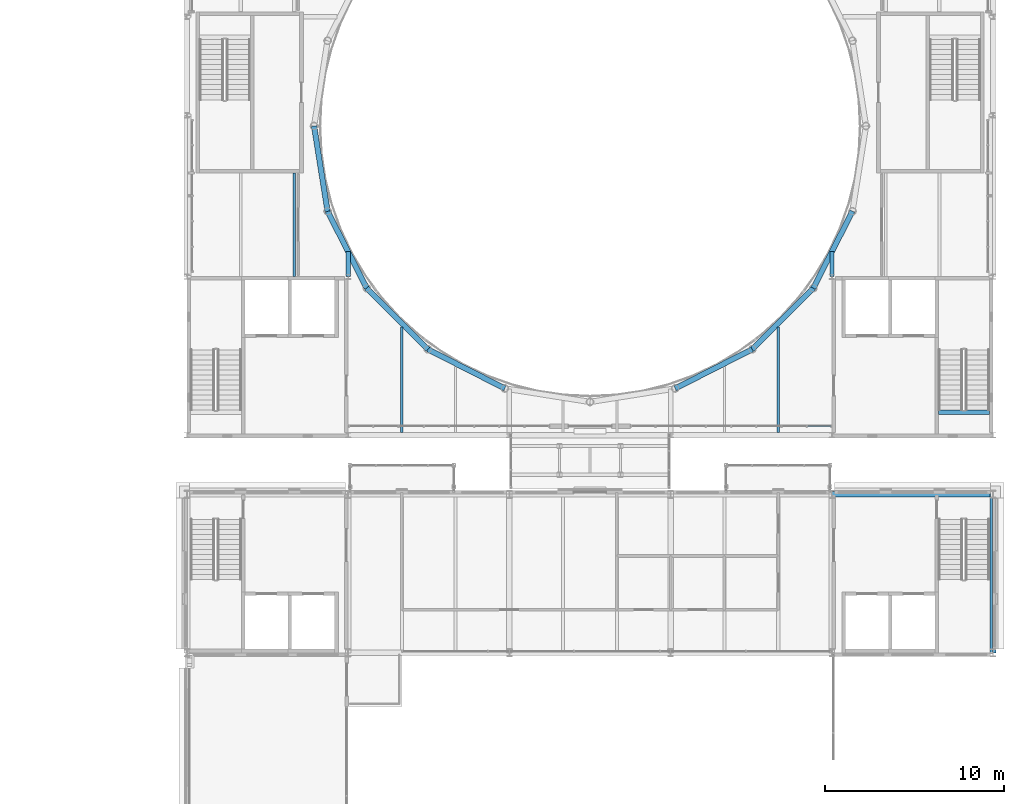
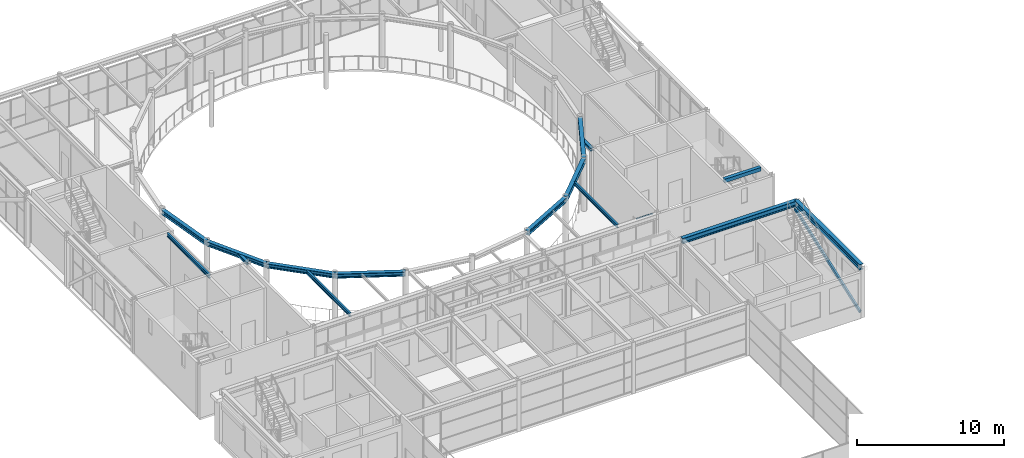
# One storey, part 33 of 70: 15 beams, 2 members, 1 element without a shape of its own.
"""IFC4 building model written with IfcOpenShell, lengths in metres."""

from ifc_helpers import new_model, si_unit, direction, frame, origin, origin_2d, place, context, subcontext, project, spatial, rectangle, hollow_rectangle, i_section, extrude, material, layer, layer_set, material_profile, profile_set, type_object, element, aggregate, save


model = new_model("IFC4")

# Units and contexts
model_context = context("Model", 3, precision=1e-05, world=origin(), true_north=direction((0.0, 1.0)))
body_context = subcontext(model_context, "Body", "Model", "MODEL_VIEW")
ifc_project = project(units=[si_unit("LENGTHUNIT", "METRE"), si_unit("AREAUNIT", "SQUARE_METRE"), si_unit("VOLUMEUNIT", "CUBIC_METRE"), si_unit("PLANEANGLEUNIT", "RADIAN"), si_unit("MASSUNIT", "GRAM", prefix="KILO")], contexts=[model_context])

# Site, building, storey
site_placement = place(None, origin())
site = spatial("IfcSite", under=ifc_project, at=site_placement, CompositionType="ELEMENT")
building_placement = place(site_placement, origin())
building = spatial("IfcBuilding", under=site, at=building_placement, Name="Kallimachos Central Library", CompositionType="ELEMENT")
storey_placement = place(building_placement, frame((0.0, 0.0, 18.89990234375)))
storey = spatial("IfcBuildingStorey", under=building, at=storey_placement, Name="L04", CompositionType="ELEMENT", Elevation=18.89990234375)

# Curtain wall, member
ifc_material_1 = material(Name="Anodised aluminium and laminated glass", Category="aluminium")
ifc_layer = layer(ifc_material_1, 0.159912109375)
ifc_layer_set = layer_set([ifc_layer], Name="Glass box curtain wall")
curtain_wall_type = type_object("IfcCurtainWallType", Name="Glass box curtain wall", PredefinedType="NOTDEFINED", material=ifc_layer_set)
curtain_wall_placement = place(storey_placement, origin())
curtain_wall = element("IfcCurtainWall", 1, at=curtain_wall_placement, inside=storey, type_object=curtain_wall_type, Name="Glass box curtain wall S L04", PredefinedType="NOTDEFINED")
ifc_material_2 = material(Name="Anodised aluminium", Category="aluminium")
ifc_material_profile_1 = material_profile(ifc_material_2, hollow_rectangle(XDim=0.06005859375, YDim=0.080078125, WallThickness=0.00390625, at=origin_2d()), Name="ALU TRANSOM 60x80")
ifc_profile_set_1 = profile_set([ifc_material_profile_1], Name="Anodised aluminium")
member_type_1 = type_object("IfcMemberType", Name="Glass box transom 60x80", PredefinedType="USERDEFINED", material=ifc_profile_set_1)
member_1_placement = place(storey_placement, frame((100.123779296875, 87.64990234375, 4.02001953125), z_axis=(1.0, 0.0, 0.0), x_axis=(0.0, 0.0, 1.0)))
member_1 = element("IfcMember", 2, at=member_1_placement, type_object=member_type_1, Name="CW29 transom 8.3", ObjectType="TRANSOM", PredefinedType="USERDEFINED", context=body_context, shape_type="SweptSolid", body=[
    extrude(hollow_rectangle(XDim=0.06005859375, YDim=0.080078125, WallThickness=0.00390625, at=origin_2d()), origin(), (0.0, 0.0, 1.0), 1.316162109375),
])
aggregate(curtain_wall, [member_1])

# Beams
ifc_material_3 = material(Name="Steel S355J2", Category="steel")
ifc_material_profile_2 = material_profile(ifc_material_3, i_section(OverallWidth=0.239990234375, OverallDepth=0.22998046875, WebThickness=0.007568359375, FlangeThickness=0.011962890625, FilletRadius=0.02099609375, at=origin_2d()), Name="HEA 240")
ifc_profile_set_2 = profile_set([ifc_material_profile_2], Name="Steel S355J2")
beam_type_1 = type_object("IfcBeamType", Name="HEA 240 beam", PredefinedType="BEAM", material=ifc_profile_set_2)
for number, where, z_axis, x_axis, name in (
    (3, (74.5, 96.0, 4.235107421875), (0.0, 1.0, 0.0), (-1.0, 0.0, 0.0), "V1-BEM-L04-025"),
    (4, (101.5, 96.0, 4.235107421875), (0.0, 1.0, 0.0), (-1.0, 0.0, 0.0), "V1-BEM-L04-032"),
):
    element("IfcBeam", number, at=place(storey_placement, frame(where, z_axis=z_axis, x_axis=x_axis)), inside=storey, type_object=beam_type_1, Name=name, PredefinedType="BEAM", context=body_context, shape_type="SweptSolid", body=[
        extrude(i_section(OverallWidth=0.239990234375, OverallDepth=0.22998046875, WebThickness=0.007568359375, FlangeThickness=0.011962890625, FilletRadius=0.02099609375, at=origin_2d()), origin(), (0.0, 0.0, 1.0), 1.391357421875),
    ])
ifc_material_4 = material(Name="Steel S355J2", Category="steel")
ifc_material_profile_3 = material_profile(ifc_material_4, i_section(OverallWidth=0.300048828125, OverallDepth=0.360107421875, WebThickness=0.012451171875, FlangeThickness=0.0224609375, FilletRadius=0.027099609375, at=origin_2d()), Name="HEB 360")
ifc_profile_set_3 = profile_set([ifc_material_profile_3], Name="Steel S355J2")
beam_type_2 = type_object("IfcBeamType", Name="HEB 360 beam", PredefinedType="BEAM", material=ifc_profile_set_3)
for number, where, z_axis, x_axis, name in (
    (5, (72.60009765625, 104.39990234375, 4.170166015625), (0.156423119957, -0.987690137413, 0.0), (0.987690137413, 0.156423119957, 0.0), "V1-BEM-L04-011"),
    (6, (73.353759765625, 99.64111328125, 4.170166015625), (0.453970566426, -0.891016680438, 0.0), (0.891016680438, 0.453970566426, 0.0), "V1-BEM-L04-012"),
    (7, (75.541015625, 95.34814453125, 4.170166015625), (0.707106781187, -0.707106781187, 0.0), (0.707106781187, 0.707106781187, 0.0), "V1-BEM-L04-013"),
):
    element("IfcBeam", number, at=place(storey_placement, frame(where, z_axis=z_axis, x_axis=x_axis)), inside=storey, type_object=beam_type_2, Name=name, PredefinedType="BEAM", context=body_context, shape_type="SweptSolid", body=[
        extrude(i_section(OverallWidth=0.300048828125, OverallDepth=0.360107421875, WebThickness=0.012451171875, FlangeThickness=0.0224609375, FilletRadius=0.027099609375, at=origin_2d()), origin(), (0.0, 0.0, 1.0), 4.818115234375),
    ])
for number, where, z_axis, x_axis, name in (
    (8, (78.947998046875, 91.941162109375, 4.170166015625), (0.891006627269, -0.453990297432, 0.0), (0.453990297432, 0.891006627269, 0.0), "V1-BEM-L04-014"),
    (9, (92.7587890625, 89.753662109375, 4.170166015625), (0.891006627269, 0.453990297432, 0.0), (-0.453990297432, 0.891006627269, 0.0), "V1-BEM-L04-017"),
):
    element("IfcBeam", number, at=place(storey_placement, frame(where, z_axis=z_axis, x_axis=x_axis)), inside=storey, type_object=beam_type_2, Name=name, PredefinedType="BEAM", context=body_context, shape_type="SweptSolid", body=[
        extrude(i_section(OverallWidth=0.300048828125, OverallDepth=0.360107421875, WebThickness=0.012451171875, FlangeThickness=0.0224609375, FilletRadius=0.027099609375, at=origin_2d()), origin(), (0.0, 0.0, 1.0), 4.818359375),
    ])
for number, where, z_axis, x_axis, name in (
    (10, (97.052001953125, 91.941162109375, 4.170166015625), (0.707106781187, 0.707106781187, 0.0), (-0.707106781187, 0.707106781187, 0.0), "V1-BEM-L04-018"),
    (11, (100.458984375, 95.34814453125, 4.170166015625), (0.453970566426, 0.891016680438, 0.0), (-0.891016680438, 0.453970566426, 0.0), "V1-BEM-L04-019"),
):
    element("IfcBeam", number, at=place(storey_placement, frame(where, z_axis=z_axis, x_axis=x_axis)), inside=storey, type_object=beam_type_2, Name=name, PredefinedType="BEAM", context=body_context, shape_type="SweptSolid", body=[
        extrude(i_section(OverallWidth=0.300048828125, OverallDepth=0.360107421875, WebThickness=0.012451171875, FlangeThickness=0.0224609375, FilletRadius=0.027099609375, at=origin_2d()), origin(), (0.0, 0.0, 1.0), 4.818115234375),
    ])
ifc_material_5 = material(Name="Steel S355J2", Category="steel")
ifc_material_profile_4 = material_profile(ifc_material_5, i_section(OverallWidth=0.300048828125, OverallDepth=0.449951171875, WebThickness=0.013916015625, FlangeThickness=0.02587890625, FilletRadius=0.027099609375, at=origin_2d()), Name="HEB 450")
ifc_profile_set_4 = profile_set([ifc_material_profile_4], Name="Steel S355J2")
beam_type_3 = type_object("IfcBeamType", Name="HEB 450 beam", PredefinedType="BEAM", material=ifc_profile_set_4)
beam_1_placement = place(storey_placement, frame((101.5, 83.85009765625, 4.0751953125), z_axis=(1.0, 0.0, 0.0), x_axis=(0.0, 1.0, 0.0)))
element("IfcBeam", 12, at=beam_1_placement, inside=storey, type_object=beam_type_3, Name="V4-BEM-L04-008", PredefinedType="BEAM", context=body_context, shape_type="SweptSolid", body=[
    extrude(i_section(OverallWidth=0.300048828125, OverallDepth=0.449951171875, WebThickness=0.013916015625, FlangeThickness=0.02587890625, FilletRadius=0.027099609375, at=origin_2d()), origin(), (0.0, 0.0, 1.0), 9.0),
])
beam_2_placement = place(storey_placement, frame((110.5, 75.0, 4.0751953125), z_axis=(0.0, 1.0, 0.0), x_axis=(-1.0, 0.0, 0.0)))
element("IfcBeam", 13, at=beam_2_placement, inside=storey, type_object=beam_type_3, Name="V4-BEM-L04-014", PredefinedType="BEAM", context=body_context, shape_type="SweptSolid", body=[
    extrude(i_section(OverallWidth=0.300048828125, OverallDepth=0.449951171875, WebThickness=0.013916015625, FlangeThickness=0.02587890625, FilletRadius=0.027099609375, at=origin_2d()), origin(), (0.0, 0.0, 1.0), 8.85009765625),
])
ifc_material_6 = material(Name="Steel S355J2", Category="steel")
ifc_material_profile_5 = material_profile(ifc_material_6, i_section(OverallWidth=0.14990234375, OverallDepth=0.300048828125, WebThickness=0.007080078125, FlangeThickness=0.0107421875, FilletRadius=0.014892578125, at=origin_2d()), Name="IPE 300")
ifc_profile_set_5 = profile_set([ifc_material_profile_5], Name="Steel S355J2")
beam_type_4 = type_object("IfcBeamType", Name="IPE 300 beam", PredefinedType="BEAM", material=ifc_profile_set_5)
beam_3_placement = place(storey_placement, frame((71.5, 96.0048828125, 4.2001953125), z_axis=(0.0, 1.0, 0.0), x_axis=(-1.0, 0.0, 0.0)))
element("IfcBeam", 14, at=beam_3_placement, inside=storey, type_object=beam_type_4, Name="V1-BEM-L04-051", PredefinedType="BEAM", context=body_context, shape_type="SweptSolid", body=[
    extrude(i_section(OverallWidth=0.14990234375, OverallDepth=0.300048828125, WebThickness=0.007080078125, FlangeThickness=0.0107421875, FilletRadius=0.014892578125, at=origin_2d()), origin(), (0.0, 0.0, 1.0), 5.76513671875),
])
for number, where, z_axis, x_axis, name in (
    (15, (77.5, 87.300048828125, 4.2001953125), (0.0, 1.0, 0.0), (-1.0, 0.0, 0.0), "V1-BEM-L04-053"),
    (16, (98.5, 87.300048828125, 4.2001953125), (0.0, 1.0, 0.0), (-1.0, 0.0, 0.0), "V1-BEM-L04-063"),
):
    element("IfcBeam", number, at=place(storey_placement, frame(where, z_axis=z_axis, x_axis=x_axis)), inside=storey, type_object=beam_type_4, Name=name, PredefinedType="BEAM", context=body_context, shape_type="SweptSolid", body=[
        extrude(i_section(OverallWidth=0.14990234375, OverallDepth=0.300048828125, WebThickness=0.007080078125, FlangeThickness=0.0107421875, FilletRadius=0.014892578125, at=origin_2d()), origin(), (0.0, 0.0, 1.0), 5.876953125),
    ])
ifc_material_7 = material(Name="Concrete C30/37", Category="concrete")
ifc_material_profile_6 = material_profile(ifc_material_7, rectangle(XDim=0.260009765625, YDim=0.300048828125, at=origin_2d()), Name="RC stair trimmer beam 260 x 300")
ifc_profile_set_6 = profile_set([ifc_material_profile_6], Name="Concrete C30/37")
beam_type_5 = type_object("IfcBeamType", Name="RC stair trimmer beam 260 x 300", PredefinedType="BEAM", material=ifc_profile_set_6)
beam_4_placement = place(storey_placement, frame((110.300048828125, 88.424072265625, 4.2001953125), z_axis=(-1.0, 0.0, 0.0), x_axis=(0.0, -1.0, 0.0)))
element("IfcBeam", 17, at=beam_4_placement, inside=storey, type_object=beam_type_5, Name="Stair trimmer beam ST2 L04", PredefinedType="BEAM", context=body_context, shape_type="SweptSolid", body=[
    extrude(rectangle(XDim=0.260009765625, YDim=0.300048828125, at=origin_2d()), origin(), (0.0, 0.0, 1.0), 2.85009765625),
])

# Member
ifc_material_8 = material(Name="Steel S355J2H", Category="steel")
ifc_material_profile_7 = material_profile(ifc_material_8, hollow_rectangle(XDim=0.14990234375, YDim=0.25, WallThickness=0.010009765625, InnerFilletRadius=0.010009765625, OuterFilletRadius=0.014892578125, at=origin_2d()), Name="RHS 250x150x10")
ifc_profile_set_7 = profile_set([ifc_material_profile_7], Name="Steel S355J2H")
member_type_2 = type_object("IfcMemberType", Name="RHS 250x150x10 brace", PredefinedType="BRACE", material=ifc_profile_set_7)
member_2_placement = place(storey_placement, frame((110.39990234375, 75.0, 0.400146484375), z_axis=(0.0, 0.94041523715, 0.340028207264), x_axis=(-1.0, 0.0, 0.0)))
element("IfcMember", 18, at=member_2_placement, inside=storey, type_object=member_type_2, Name="V4-MEM-L04-002", PredefinedType="BRACE", context=body_context, shape_type="SweptSolid", body=[
    extrude(hollow_rectangle(XDim=0.14990234375, YDim=0.25, WallThickness=0.010009765625, InnerFilletRadius=0.010009765625, OuterFilletRadius=0.014892578125, at=origin_2d()), origin(), (0.0, 0.0, 1.0), 9.410888671875),
])

save(model, "model.ifc")
